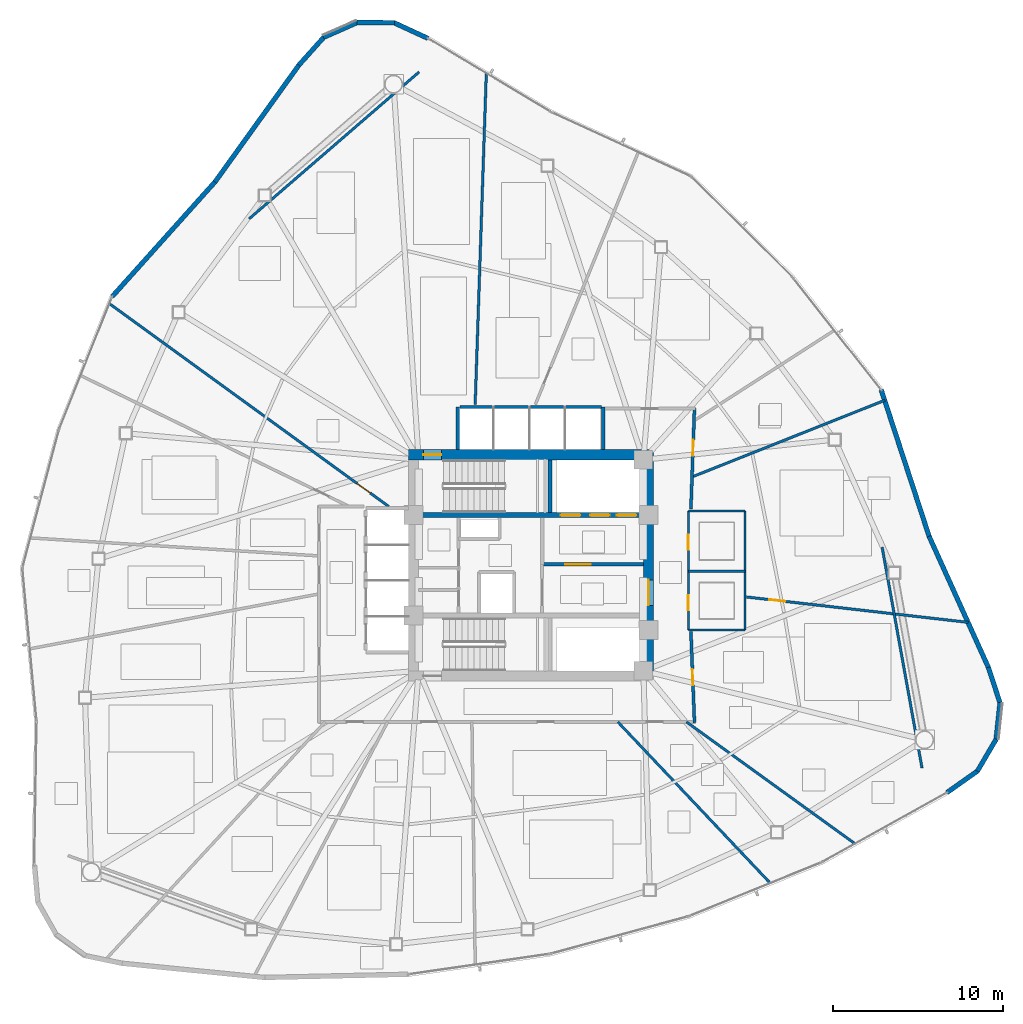
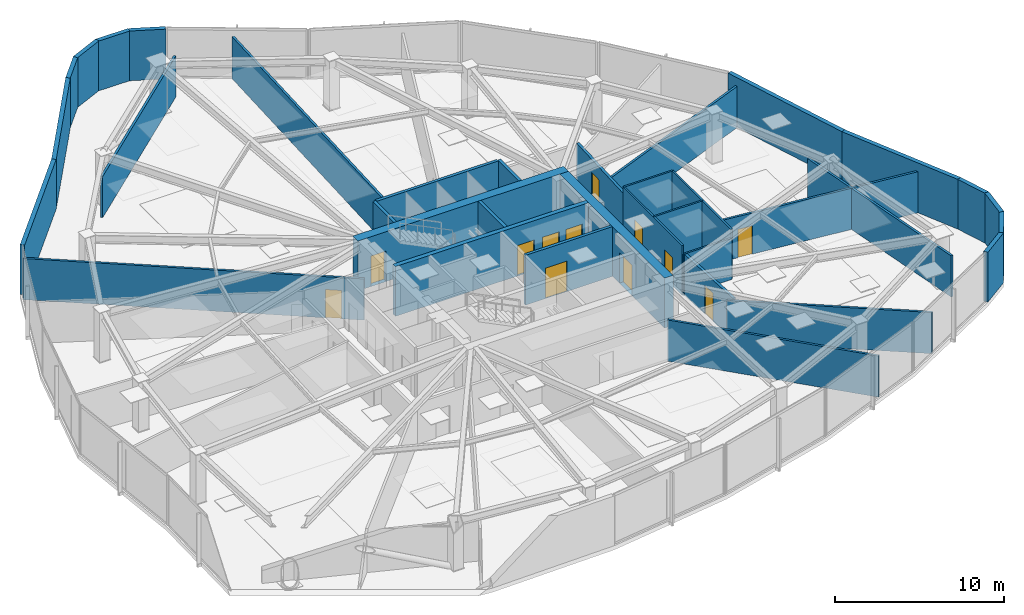
# One storey, part 12 of 17: 35 walls, 12 doors, 12 openings.
"""IFC4 building model written with IfcOpenShell, lengths in metres."""

from ifc_helpers import new_model, si_unit, direction, frame, frame_2d, origin, place, context, subcontext, project, spatial, rectangle, extrude, material, layer, layer_set, type_object, element, fill, save


model = new_model("IFC4")

# Units and contexts
model_context = context("Model", 3, precision=1e-05, world=origin(), true_north=direction((0.0, 1.0)))
body_context = subcontext(model_context, "Body", "Model", "MODEL_VIEW")
ifc_project = project(units=[si_unit("LENGTHUNIT", "METRE"), si_unit("AREAUNIT", "SQUARE_METRE"), si_unit("VOLUMEUNIT", "CUBIC_METRE"), si_unit("PLANEANGLEUNIT", "RADIAN"), si_unit("MASSUNIT", "GRAM", prefix="KILO")], contexts=[model_context])

# Site, building, storey
site_placement = place(None, origin())
site = spatial("IfcSite", under=ifc_project, at=site_placement, CompositionType="ELEMENT")
building_placement = place(site_placement, origin())
building = spatial("IfcBuilding", under=site, at=building_placement, Name="Tavelor Broadcast Tower", CompositionType="ELEMENT")
storey_placement = place(building_placement, frame((0.0, 0.0, 74.39990234375)))
storey = spatial("IfcBuildingStorey", under=building, at=storey_placement, Name="L17", CompositionType="ELEMENT", Elevation=74.39990234375)

# Wall, opening, door
ifc_material_1 = material(Name="Concrete C60/75", Category="concrete")
ifc_layer_1 = layer(ifc_material_1, 0.60009765625)
ifc_layer_set_1 = layer_set([ifc_layer_1], Name="Concrete C60/75")
wall_type_1 = type_object("IfcWallType", Name="Core Shear Wall 600 mm", PredefinedType="SHEAR", material=ifc_layer_set_1)
wall_1_placement = place(storey_placement, frame((42.800048828125, 51.5, 0.0), z_axis=(0.0, 0.0, 1.0), x_axis=(1.0, 0.0, 0.0)))
wall_1 = element("IfcWall", 1, at=wall_1_placement, inside=storey, type_object=wall_type_1, Name="L17 Central Core Shear Wall N", PredefinedType="SHEAR", context=body_context, shape_type="SweptSolid", body=[
    extrude(rectangle(XDim=14.39990234375, YDim=0.60009765625, at=frame_2d((7.199951171875, 0.0))), origin(), (0.0, 0.0, 1.0), 3.60009765625),
])
opening_1_placement = place(wall_1_placement, frame((0.8798828125, 0.0, 0.0)))
opening_1 = element("IfcOpeningElement", 2, at=opening_1_placement, cuts=wall_1, Name="Opening DR11", PredefinedType="OPENING", context=body_context, shape_type="SweptSolid", body=[
    extrude(rectangle(XDim=1.050048828125, YDim=2.199951171875, at=frame_2d((0.52490234375, 1.10009765625))), frame((0.0, 0.31005859375, 0.0), z_axis=(0.0, -1.0, 0.0), x_axis=(1.0, 0.0, 0.0)), (0.0, 0.0, 1.0), 0.6201171875),
])
ifc_material_2 = material(Name="Steel S355", Category="steel")
door_type_1 = type_object("IfcDoorType", Name="Stair Core Fire Escape Door 1050x2200", OperationType="NOTDEFINED", PredefinedType="DOOR", material=ifc_material_2)
door_1_placement = place(opening_1_placement, origin())
door_1 = element("IfcDoor", 3, at=door_1_placement, inside=storey, type_object=door_type_1, Name="L17 Stair ST1 Protected Exit Door", OperationType="SINGLE_SWING_LEFT", OverallHeight=2.199951171875, OverallWidth=1.050048828125, PredefinedType="DOOR", context=body_context, shape_type="SweptSolid", body=[
    extrude(rectangle(XDim=1.050048828125, YDim=2.199951171875, at=frame_2d((0.52490234375, 1.10009765625))), frame((0.0, 0.02490234375, 0.0), z_axis=(0.0, -1.0, 0.0), x_axis=(1.0, 0.0, 0.0)), (0.0, 0.0, 1.0), 0.050048828125),
])
fill(opening_1, door_1)

wall_2_placement = place(storey_placement, frame((56.89990234375, 38.800048828125, 0.0), z_axis=(0.0, 0.0, 1.0), x_axis=(0.0, 1.0, 0.0)))
wall_2 = element("IfcWall", 4, at=wall_2_placement, inside=storey, type_object=wall_type_1, Name="L17 Central Core Shear Wall E", PredefinedType="SHEAR", context=body_context, shape_type="SweptSolid", body=[
    extrude(rectangle(XDim=12.39990234375, YDim=0.60009765625, at=frame_2d((6.199951171875, 0.0))), origin(), (0.0, 0.0, 1.0), 3.60009765625),
])
opening_2_placement = place(wall_2_placement, frame((3.85009765625, 0.0, 0.0)))
opening_2 = element("IfcOpeningElement", 5, at=opening_2_placement, cuts=wall_2, Name="Opening DR14", PredefinedType="OPENING", context=body_context, shape_type="SweptSolid", body=[
    extrude(rectangle(XDim=1.5, YDim=2.199951171875, at=frame_2d((0.75, 1.10009765625))), frame((0.0, 0.31005859375, 0.0), z_axis=(0.0, -1.0, 0.0), x_axis=(1.0, 0.0, 0.0)), (0.0, 0.0, 1.0), 0.6201171875),
])
door_type_2 = type_object("IfcDoorType", Name="Firefighting Lobby Double Fire Door 1500x2200", OperationType="NOTDEFINED", PredefinedType="DOOR", material=ifc_material_2)
door_2_placement = place(opening_2_placement, origin())
door_2 = element("IfcDoor", 6, at=door_2_placement, inside=storey, type_object=door_type_2, Name="L17 Central Core Lobby Fire Door", OperationType="SINGLE_SWING_RIGHT", OverallHeight=2.199951171875, OverallWidth=1.5, PredefinedType="DOOR", context=body_context, shape_type="SweptSolid", body=[
    extrude(rectangle(XDim=1.5, YDim=2.199951171875, at=frame_2d((0.75, 1.10009765625))), frame((0.0, 0.02490234375, 0.0), z_axis=(0.0, -1.0, 0.0), x_axis=(1.0, 0.0, 0.0)), (0.0, 0.0, 1.0), 0.050048828125),
])
fill(opening_2, door_2)

# Wall, openings, doors
ifc_layer_2 = layer(ifc_material_1, 0.300048828125)
ifc_layer_set_2 = layer_set([ifc_layer_2], Name="Concrete C60/75")
wall_type_2 = type_object("IfcWallType", Name="Core Spine Shear Wall 300 mm C60", PredefinedType="SHEAR", material=ifc_layer_set_2)
wall_3_placement = place(storey_placement, frame((43.39990234375, 47.949951171875, 0.0), z_axis=(0.0, 0.0, 1.0), x_axis=(1.0, 0.0, 0.0)))
wall_3 = element("IfcWall", 7, at=wall_3_placement, inside=storey, type_object=wall_type_2, Name="L17 Central Core Shear Wall SP1", PredefinedType="SHEAR", context=body_context, shape_type="SweptSolid", body=[
    extrude(rectangle(XDim=13.2001953125, YDim=0.300048828125, at=frame_2d((6.60009765625, 0.0))), origin(), (0.0, 0.0, 1.0), 3.60009765625),
])
opening_3_placement = place(wall_3_placement, frame((8.344970703125, 0.0, 0.0)))
opening_3 = element("IfcOpeningElement", 8, at=opening_3_placement, cuts=wall_3, Name="Opening LD02", PredefinedType="OPENING", context=body_context, shape_type="SweptSolid", body=[
    extrude(rectangle(XDim=1.14990234375, YDim=2.199951171875, at=frame_2d((0.574951171875, 1.10009765625))), frame((0.0, 0.16015625, 0.0), z_axis=(0.0, -1.0, 0.0), x_axis=(1.0, 0.0, 0.0)), (0.0, 0.0, 1.0), 0.320068359375),
])
opening_4_placement = place(wall_3_placement, frame((10.06494140625, 0.0, 0.0)))
opening_4 = element("IfcOpeningElement", 9, at=opening_4_placement, cuts=wall_3, Name="Opening LD02", PredefinedType="OPENING", context=body_context, shape_type="SweptSolid", body=[
    extrude(rectangle(XDim=1.14990234375, YDim=2.199951171875, at=frame_2d((0.574951171875, 1.10009765625))), frame((0.0, 0.16015625, 0.0), z_axis=(0.0, -1.0, 0.0), x_axis=(1.0, 0.0, 0.0)), (0.0, 0.0, 1.0), 0.320068359375),
])
opening_5_placement = place(wall_3_placement, frame((11.64501953125, 0.0, 0.0)))
opening_5 = element("IfcOpeningElement", 10, at=opening_5_placement, cuts=wall_3, Name="Opening LD03", PredefinedType="OPENING", context=body_context, shape_type="SweptSolid", body=[
    extrude(rectangle(XDim=1.14990234375, YDim=2.199951171875, at=frame_2d((0.574951171875, 1.10009765625))), frame((0.0, 0.16015625, 0.0), z_axis=(0.0, -1.0, 0.0), x_axis=(1.0, 0.0, 0.0)), (0.0, 0.0, 1.0), 0.320068359375),
])
ifc_material_3 = material(Name="Reinforced Brushed Stainless Steel", Category="concrete")
door_type_3 = type_object("IfcDoorType", Name="Broadcast Goods Lift Sliding Landing Door 1250x2200", OperationType="NOTDEFINED", PredefinedType="DOOR", material=ifc_material_3)
door_3_placement = place(opening_5_placement, origin())
door_3 = element("IfcDoor", 11, at=door_3_placement, inside=storey, type_object=door_type_3, Name="L17 Lift SVL1 Sliding Landing Door", OperationType="SLIDING_TO_LEFT", OverallHeight=2.199951171875, OverallWidth=1.14990234375, PredefinedType="DOOR", context=body_context, shape_type="SweptSolid", body=[
    extrude(rectangle(XDim=1.14990234375, YDim=2.199951171875, at=frame_2d((0.574951171875, 1.10009765625))), frame((0.0, 0.02490234375, 0.0), z_axis=(0.0, -1.0, 0.0), x_axis=(1.0, 0.0, 0.0)), (0.0, 0.0, 1.0), 0.050048828125),
])
fill(opening_5, door_3)
ifc_material_4 = material(Name="Fire-Rated Stainless Steel", Category="steel")
door_type_4 = type_object("IfcDoorType", Name="Firefighting Lift Sliding Landing Door 1200x2200", OperationType="NOTDEFINED", PredefinedType="DOOR", material=ifc_material_4)
door_4_placement = place(opening_3_placement, origin())
door_4 = element("IfcDoor", 12, at=door_4_placement, inside=storey, type_object=door_type_4, Name="L17 Lift FFL1 Sliding Landing Door", OperationType="SLIDING_TO_LEFT", OverallHeight=2.199951171875, OverallWidth=1.14990234375, PredefinedType="DOOR", context=body_context, shape_type="SweptSolid", body=[
    extrude(rectangle(XDim=1.14990234375, YDim=2.199951171875, at=frame_2d((0.574951171875, 1.10009765625))), frame((0.0, 0.02490234375, 0.0), z_axis=(0.0, -1.0, 0.0), x_axis=(1.0, 0.0, 0.0)), (0.0, 0.0, 1.0), 0.050048828125),
])
fill(opening_3, door_4)
door_5_placement = place(opening_4_placement, origin())
door_5 = element("IfcDoor", 13, at=door_5_placement, inside=storey, type_object=door_type_4, Name="L17 Lift FFL2 Sliding Landing Door", OperationType="SLIDING_TO_LEFT", OverallHeight=2.199951171875, OverallWidth=1.14990234375, PredefinedType="DOOR", context=body_context, shape_type="SweptSolid", body=[
    extrude(rectangle(XDim=1.14990234375, YDim=2.199951171875, at=frame_2d((0.574951171875, 1.10009765625))), frame((0.0, 0.02490234375, 0.0), z_axis=(0.0, -1.0, 0.0), x_axis=(1.0, 0.0, 0.0)), (0.0, 0.0, 1.0), 0.050048828125),
])
fill(opening_4, door_5)

# Wall, opening, door
ifc_material_5 = material(Name="Calcium Silicate Fire Board 180 mm", Category="gypsum")
ifc_layer_3 = layer(ifc_material_5, 0.179931640625)
ifc_layer_set_3 = layer_set([ifc_layer_3], Name="Calcium Silicate Fire Board 180 mm")
wall_type_3 = type_object("IfcWallType", Name="Fire-Rated Corridor Partition Wall 180 mm", PredefinedType="PARTITIONING", material=ifc_layer_set_3)
wall_4_placement = place(storey_placement, frame((59.601806640625, 54.25, 0.0), z_axis=(0.0, 0.0, 1.0), x_axis=(-0.035265891834, -0.999377964973, 0.0)))
wall_4 = element("IfcWall", 14, at=wall_4_placement, inside=storey, type_object=wall_type_3, Name="L17 Corridor Compartment Wall 02", PredefinedType="PARTITIONING", context=body_context, shape_type="SweptSolid", body=[
    extrude(rectangle(XDim=5.95361328125, YDim=0.179931640625, at=frame_2d((2.976806640625, 0.0))), origin(), (0.0, 0.0, 1.0), 2.97509765625),
])
opening_6_placement = place(wall_4_placement, frame((1.876220703125, 0.0, 0.0)))
opening_6 = element("IfcOpeningElement", 15, at=opening_6_placement, cuts=wall_4, Name="Opening DR18", PredefinedType="OPENING", context=body_context, shape_type="SweptSolid", body=[
    extrude(rectangle(XDim=0.949951171875, YDim=2.050048828125, at=frame_2d((0.47509765625, 1.02490234375))), frame((0.0, 0.10009765625, 0.0), z_axis=(0.0, -1.0, 0.0), x_axis=(1.0, 0.0, 0.0)), (0.0, 0.0, 1.0), 0.199951171875),
])
ifc_material_6 = material(Name="Timber Solid Core Hardwood", Category="wood")
door_type_5 = type_object("IfcDoorType", Name="Corridor Rated Compartment Door 950x2050", OperationType="NOTDEFINED", PredefinedType="DOOR", material=ifc_material_6)
door_6_placement = place(opening_6_placement, origin())
door_6 = element("IfcDoor", 16, at=door_6_placement, inside=storey, type_object=door_type_5, Name="L17 Editorial Coffee Pantry Door R11", OperationType="SINGLE_SWING_LEFT", OverallHeight=2.050048828125, OverallWidth=0.949951171875, PredefinedType="DOOR", context=body_context, shape_type="SweptSolid", body=[
    extrude(rectangle(XDim=0.949951171875, YDim=2.050048828125, at=frame_2d((0.47509765625, 1.02490234375))), frame((0.0, 0.02490234375, 0.0), z_axis=(0.0, -1.0, 0.0), x_axis=(1.0, 0.0, 0.0)), (0.0, 0.0, 1.0), 0.050048828125),
])
fill(opening_6, door_6)

wall_5_placement = place(storey_placement, frame((59.39208984375, 41.10009765625, 0.0), z_axis=(0.0, 0.0, 1.0), x_axis=(0.03921413315, -0.999230830069, 0.0)))
wall_5 = element("IfcWall", 17, at=wall_5_placement, inside=storey, type_object=wall_type_3, Name="L17 Corridor Compartment Wall 03", PredefinedType="PARTITIONING", context=body_context, shape_type="SweptSolid", body=[
    extrude(rectangle(XDim=5.354248046875, YDim=0.179931640625, at=frame_2d((2.67724609375, 0.0))), origin(), (0.0, 0.0, 1.0), 2.97509765625),
])
opening_7_placement = place(wall_5_placement, frame((2.201904296875, 0.0, 0.0)))
opening_7 = element("IfcOpeningElement", 18, at=opening_7_placement, cuts=wall_5, Name="Opening DR18", PredefinedType="OPENING", context=body_context, shape_type="SweptSolid", body=[
    extrude(rectangle(XDim=0.949951171875, YDim=2.050048828125, at=frame_2d((0.47509765625, 1.02490234375))), frame((0.0, 0.10009765625, 0.0), z_axis=(0.0, -1.0, 0.0), x_axis=(1.0, 0.0, 0.0)), (0.0, 0.0, 1.0), 0.199951171875),
])
door_7_placement = place(opening_7_placement, origin())
door_7 = element("IfcDoor", 19, at=door_7_placement, inside=storey, type_object=door_type_5, Name="L17 Broadcast Production Studio Door R13", OperationType="SINGLE_SWING_RIGHT", OverallHeight=2.050048828125, OverallWidth=0.949951171875, PredefinedType="DOOR", context=body_context, shape_type="SweptSolid", body=[
    extrude(rectangle(XDim=0.949951171875, YDim=2.050048828125, at=frame_2d((0.47509765625, 1.02490234375))), frame((0.0, 0.02490234375, 0.0), z_axis=(0.0, -1.0, 0.0), x_axis=(1.0, 0.0, 0.0)), (0.0, 0.0, 1.0), 0.050048828125),
])
fill(opening_7, door_7)

# Walls
ifc_material_7 = material(Name="Precast Concrete C40/50", Category="concrete")
ifc_layer_4 = layer(ifc_material_7, 0.280029296875)
ifc_layer_set_4 = layer_set([ifc_layer_4], Name="Precast Concrete C40/50")
wall_type_4 = type_object("IfcWallType", Name="Insulated Precast Terracotta Facade Wall 280 mm", PredefinedType="STANDARD", material=ifc_layer_set_4)
wall_6_placement = place(storey_placement, frame((43.93994140625, 75.96044921875, 0.0), z_axis=(0.0, 0.0, 1.0), x_axis=(-0.908173521499, 0.418593902068, 0.0)))
element("IfcWall", 20, at=wall_6_placement, inside=storey, type_object=wall_type_4, Name="L17 Rounded Corner Structural Cladding Pier 01", PredefinedType="STANDARD", context=body_context, shape_type="SweptSolid", body=[
    extrude(rectangle(XDim=2.201171875, YDim=0.280029296875, at=frame_2d((1.1005859375, 0.0))), origin(), (0.0, 0.0, 1.0), 3.60009765625),
])
for number, where, z_axis, x_axis, name in (
    (21, (41.9697265625, 76.87548828125, 0.0), (0.0, 0.0, 1.0), (-0.999969538237, 0.007805293006, 0.0), "L17 Rounded Corner Structural Cladding Pier 02"),
    (22, (39.80908203125, 76.898681640625, 0.0), (0.0, 0.0, 1.0), (-0.914609892557, -0.404337414095, 0.0), "L17 Rounded Corner Structural Cladding Pier 03"),
):
    element("IfcWall", number, at=place(storey_placement, frame(where, z_axis=z_axis, x_axis=x_axis)), inside=storey, type_object=wall_type_4, Name=name, PredefinedType="STANDARD", context=body_context, shape_type="SweptSolid", body=[
        extrude(rectangle(XDim=2.189453125, YDim=0.280029296875, at=frame_2d((1.0947265625, 0.0))), origin(), (0.0, 0.0, 1.0), 3.60009765625),
    ])
wall_7_placement = place(storey_placement, frame((37.830322265625, 76.030517578125, 0.0), z_axis=(0.0, 0.0, 1.0), x_axis=(-0.667188363883, -0.744889043482, 0.0)))
element("IfcWall", 23, at=wall_7_placement, inside=storey, type_object=wall_type_4, Name="L17 Rounded Corner Structural Cladding Pier 04", PredefinedType="STANDARD", context=body_context, shape_type="SweptSolid", body=[
    extrude(rectangle(XDim=2.2119140625, YDim=0.280029296875, at=frame_2d((1.10595703125, 0.0))), origin(), (0.0, 0.0, 1.0), 3.60009765625),
])
wall_8_placement = place(storey_placement, frame((36.373291015625, 74.40625, 0.0), z_axis=(0.0, 0.0, 1.0), x_axis=(-0.583205808697, -0.812324433156, 0.0)))
element("IfcWall", 24, at=wall_8_placement, inside=storey, type_object=wall_type_4, Name="L17 Rounded Corner Structural Cladding Pier 05", PredefinedType="STANDARD", context=body_context, shape_type="SweptSolid", body=[
    extrude(rectangle(XDim=8.478759765625, YDim=0.280029296875, at=frame_2d((4.2392578125, 0.0))), origin(), (0.0, 0.0, 1.0), 3.60009765625),
])
wall_9_placement = place(storey_placement, frame((31.447265625, 67.5419921875, 0.0), z_axis=(0.0, 0.0, 1.0), x_axis=(-0.667745700293, -0.744389467779, 0.0)))
element("IfcWall", 25, at=wall_9_placement, inside=storey, type_object=wall_type_4, Name="L17 Rounded Corner Structural Cladding Pier 06", PredefinedType="STANDARD", context=body_context, shape_type="SweptSolid", body=[
    extrude(rectangle(XDim=9.06884765625, YDim=0.280029296875, at=frame_2d((4.534423828125, 0.0))), origin(), (0.0, 0.0, 1.0), 3.60009765625),
])
wall_10_placement = place(storey_placement, frame((74.442626953125, 31.650390625, 0.0), z_axis=(0.0, 0.0, 1.0), x_axis=(0.81663879443, 0.577149096362, 0.0)))
element("IfcWall", 26, at=wall_10_placement, inside=storey, type_object=wall_type_4, Name="L17 Rounded Corner Structural Cladding Pier 21", PredefinedType="STANDARD", context=body_context, shape_type="SweptSolid", body=[
    extrude(rectangle(XDim=2.200927734375, YDim=0.280029296875, at=frame_2d((1.1005859375, 0.0))), origin(), (0.0, 0.0, 1.0), 3.60009765625),
])
for number, where, z_axis, x_axis, name in (
    (27, (76.22021484375, 32.89892578125, 0.0), (0.0, 0.0, 1.0), (0.506717947933, 0.86211189601, 0.0), "L17 Rounded Corner Structural Cladding Pier 22"),
    (28, (77.320556640625, 34.758544921875, 0.0), (0.0, 0.0, 1.0), (0.107163082067, 0.994241456509, 0.0), "L17 Rounded Corner Structural Cladding Pier 23"),
):
    element("IfcWall", number, at=place(storey_placement, frame(where, z_axis=z_axis, x_axis=x_axis)), inside=storey, type_object=wall_type_4, Name=name, PredefinedType="STANDARD", context=body_context, shape_type="SweptSolid", body=[
        extrude(rectangle(XDim=2.189453125, YDim=0.280029296875, at=frame_2d((1.0947265625, 0.0))), origin(), (0.0, 0.0, 1.0), 3.60009765625),
    ])
wall_11_placement = place(storey_placement, frame((77.55810546875, 36.90625, 0.0), z_axis=(0.0, 0.0, 1.0), x_axis=(-0.311555570037, 0.950227934118, 0.0)))
element("IfcWall", 29, at=wall_11_placement, inside=storey, type_object=wall_type_4, Name="L17 Rounded Corner Structural Cladding Pier 24", PredefinedType="STANDARD", context=body_context, shape_type="SweptSolid", body=[
    extrude(rectangle(XDim=2.212158203125, YDim=0.280029296875, at=frame_2d((1.10595703125, 0.0))), origin(), (0.0, 0.0, 1.0), 3.60009765625),
])
wall_12_placement = place(storey_placement, frame((76.8798828125, 38.980224609375, 0.0), z_axis=(0.0, 0.0, 1.0), x_axis=(-0.411879874827, 0.91123815148, 0.0)))
element("IfcWall", 30, at=wall_12_placement, inside=storey, type_object=wall_type_4, Name="L17 Rounded Corner Structural Cladding Pier 25", PredefinedType="STANDARD", context=body_context, shape_type="SweptSolid", body=[
    extrude(rectangle(XDim=8.478759765625, YDim=0.280029296875, at=frame_2d((4.2392578125, 0.0))), origin(), (0.0, 0.0, 1.0), 3.60009765625),
])
wall_13_placement = place(storey_placement, frame((73.3984375, 46.678466796875, 0.0), z_axis=(0.0, 0.0, 1.0), x_axis=(-0.310803401324, 0.950474221494, 0.0)))
element("IfcWall", 31, at=wall_13_placement, inside=storey, type_object=wall_type_4, Name="L17 Rounded Corner Structural Cladding Pier 26", PredefinedType="STANDARD", context=body_context, shape_type="SweptSolid", body=[
    extrude(rectangle(XDim=9.06884765625, YDim=0.280029296875, at=frame_2d((4.534423828125, 0.0))), origin(), (0.0, 0.0, 1.0), 3.60009765625),
])
ifc_material_8 = material(Name="Gypsum Acoustic Plasterboard 150 mm", Category="gypsum")
ifc_layer_5 = layer(ifc_material_8, 0.14990234375)
ifc_layer_set_5 = layer_set([ifc_layer_5], Name="Gypsum Acoustic Plasterboard 150 mm")
wall_type_5 = type_object("IfcWallType", Name="Interior Acoustic Partition Wall 150 mm", PredefinedType="PARTITIONING", material=ifc_layer_set_5)
wall_14_placement = place(storey_placement, frame((43.42138671875, 73.9794921875, 0.0), z_axis=(0.0, 0.0, 1.0), x_axis=(-0.756659135409, -0.653809569218, 0.0)))
element("IfcWall", 32, at=wall_14_placement, inside=storey, type_object=wall_type_5, Name="L17 Corner Tube Brace Furring Wall 1", PredefinedType="PARTITIONING", context=body_context, shape_type="SweptSolid", body=[
    extrude(rectangle(XDim=13.200439453125, YDim=0.14990234375, at=frame_2d((6.60009765625, 0.0))), origin(), (0.0, 0.0, 1.0), 2.97509765625),
])
wall_15_placement = place(storey_placement, frame((72.96923828125, 33.09130859375, 0.0), z_axis=(0.0, 0.0, 1.0), x_axis=(-0.177742578179, 0.984077017261, 0.0)))
element("IfcWall", 33, at=wall_15_placement, inside=storey, type_object=wall_type_5, Name="L17 Corner Tube Brace Furring Wall 3", PredefinedType="PARTITIONING", context=body_context, shape_type="SweptSolid", body=[
    extrude(rectangle(XDim=13.179443359375, YDim=0.14990234375, at=frame_2d((6.58984375, 0.0))), origin(), (0.0, 0.0, 1.0), 2.97509765625),
])
wall_16_placement = place(storey_placement, frame((55.09814453125, 35.800048828125, 0.0), z_axis=(0.0, 0.0, 1.0), x_axis=(0.687014615678, -0.72664359754, 0.0)))
element("IfcWall", 34, at=wall_16_placement, inside=storey, type_object=wall_type_5, Name="L17 Radial Compartment Wall 07", PredefinedType="PARTITIONING", context=body_context, shape_type="SweptSolid", body=[
    extrude(rectangle(XDim=13.04833984375, YDim=0.14990234375, at=frame_2d((6.524169921875, 0.0))), origin(), (0.0, 0.0, 1.0), 2.97509765625),
])
wall_17_placement = place(storey_placement, frame((59.130126953125, 35.800048828125, 0.0), z_axis=(0.0, 0.0, 1.0), x_axis=(0.81049178712, -0.585750000436, 0.0)))
element("IfcWall", 35, at=wall_17_placement, inside=storey, type_object=wall_type_5, Name="L17 Radial Compartment Wall 08", PredefinedType="PARTITIONING", context=body_context, shape_type="SweptSolid", body=[
    extrude(rectangle(XDim=12.229736328125, YDim=0.14990234375, at=frame_2d((6.11474609375, 0.0))), origin(), (0.0, 0.0, 1.0), 2.97509765625),
])

# Wall, opening, door
wall_18_placement = place(storey_placement, frame((62.64990234375, 43.139404296875, 0.0), z_axis=(0.0, 0.0, 1.0), x_axis=(0.993507819436, -0.113763846275, 0.0)))
wall_18 = element("IfcWall", 36, at=wall_18_placement, inside=storey, type_object=wall_type_5, Name="L17 Radial Compartment Wall 09", PredefinedType="PARTITIONING", context=body_context, shape_type="SweptSolid", body=[
    extrude(rectangle(XDim=13.120849609375, YDim=0.14990234375, at=frame_2d((6.560546875, 0.0))), origin(), (0.0, 0.0, 1.0), 2.97509765625),
])
opening_8_placement = place(wall_18_placement, frame((1.35009765625, 0.0, 0.0)))
opening_8 = element("IfcOpeningElement", 37, at=opening_8_placement, cuts=wall_18, Name="Opening DR18", PredefinedType="OPENING", context=body_context, shape_type="SweptSolid", body=[
    extrude(rectangle(XDim=0.949951171875, YDim=2.050048828125, at=frame_2d((0.47509765625, 1.02490234375))), frame((0.0, 0.0849609375, 0.0), z_axis=(0.0, -1.0, 0.0), x_axis=(1.0, 0.0, 0.0)), (0.0, 0.0, 1.0), 0.169921875),
])
door_8_placement = place(opening_8_placement, origin())
door_8 = element("IfcDoor", 38, at=door_8_placement, inside=storey, type_object=door_type_5, Name="L17 Suite Connecting Door 12", OperationType="SINGLE_SWING_LEFT", OverallHeight=2.050048828125, OverallWidth=0.949951171875, PredefinedType="DOOR", context=body_context, shape_type="SweptSolid", body=[
    extrude(rectangle(XDim=0.949951171875, YDim=2.050048828125, at=frame_2d((0.47509765625, 1.02490234375))), frame((0.0, 0.02490234375, 0.0), z_axis=(0.0, -1.0, 0.0), x_axis=(1.0, 0.0, 0.0)), (0.0, 0.0, 1.0), 0.050048828125),
])
fill(opening_8, door_8)

# Walls
wall_19_placement = place(storey_placement, frame((59.45849609375, 50.191162109375, 0.0), z_axis=(0.0, 0.0, 1.0), x_axis=(0.929265937883, 0.369411446344, 0.0)))
element("IfcWall", 39, at=wall_19_placement, inside=storey, type_object=wall_type_5, Name="L17 Radial Compartment Wall 10", PredefinedType="PARTITIONING", context=body_context, shape_type="SweptSolid", body=[
    extrude(rectangle(XDim=12.19140625, YDim=0.14990234375, at=frame_2d((6.095703125, 0.0))), origin(), (0.0, 0.0, 1.0), 2.97509765625),
])
wall_20_placement = place(storey_placement, frame((46.7177734375, 54.449951171875, 0.0), z_axis=(0.0, 0.0, 1.0), x_axis=(0.033606572216, 0.999435139618, 0.0)))
element("IfcWall", 40, at=wall_20_placement, inside=storey, type_object=wall_type_5, Name="L17 Radial Compartment Wall 13", PredefinedType="PARTITIONING", context=body_context, shape_type="SweptSolid", body=[
    extrude(rectangle(XDim=19.4765625, YDim=0.14990234375, at=frame_2d((9.73828125, 0.0))), origin(), (0.0, 0.0, 1.0), 3.025146484375),
])

# Wall, opening, door
wall_21_placement = place(storey_placement, frame((41.648681640625, 48.449951171875, 0.0), z_axis=(0.0, 0.0, 1.0), x_axis=(-0.809168970715, 0.587576017918, 0.0)))
wall_21 = element("IfcWall", 41, at=wall_21_placement, inside=storey, type_object=wall_type_5, Name="L17 Radial Compartment Wall 14", PredefinedType="PARTITIONING", context=body_context, shape_type="SweptSolid", body=[
    extrude(rectangle(XDim=20.305419921875, YDim=0.14990234375, at=frame_2d((10.15283203125, 0.0))), origin(), (0.0, 0.0, 1.0), 2.97509765625),
])
opening_9_placement = place(wall_21_placement, frame((1.35009765625, 0.0, 0.0)))
opening_9 = element("IfcOpeningElement", 42, at=opening_9_placement, cuts=wall_21, Name="Opening DR18", PredefinedType="OPENING", context=body_context, shape_type="SweptSolid", body=[
    extrude(rectangle(XDim=0.949951171875, YDim=2.050048828125, at=frame_2d((0.47509765625, 1.02490234375))), frame((0.0, 0.0849609375, 0.0), z_axis=(0.0, -1.0, 0.0), x_axis=(1.0, 0.0, 0.0)), (0.0, 0.0, 1.0), 0.169921875),
])
door_9_placement = place(opening_9_placement, origin())
door_9 = element("IfcDoor", 43, at=door_9_placement, inside=storey, type_object=door_type_5, Name="L17 Suite Connecting Door 8", OperationType="SINGLE_SWING_LEFT", OverallHeight=2.050048828125, OverallWidth=0.949951171875, PredefinedType="DOOR", context=body_context, shape_type="SweptSolid", body=[
    extrude(rectangle(XDim=0.949951171875, YDim=2.050048828125, at=frame_2d((0.47509765625, 1.02490234375))), frame((0.0, 0.02490234375, 0.0), z_axis=(0.0, -1.0, 0.0), x_axis=(1.0, 0.0, 0.0)), (0.0, 0.0, 1.0), 0.050048828125),
])
fill(opening_9, door_9)

# Walls
ifc_material_9 = material(Name="Concrete Blockwork 200 mm", Category="masonry")
ifc_layer_6 = layer(ifc_material_9, 0.199951171875)
ifc_layer_set_6 = layer_set([ifc_layer_6], Name="Concrete Blockwork 200 mm")
wall_type_6 = type_object("IfcWallType", Name="Lift Hoistway Rated Front Wall 200 mm", PredefinedType="PARTITIONING", material=ifc_layer_set_6)
wall_22_placement = place(storey_placement, frame((45.820068359375, 54.300048828125, 0.0), z_axis=(0.0, 0.0, 1.0), x_axis=(1.0, 0.0, 0.0)))
element("IfcWall", 44, at=wall_22_placement, inside=storey, type_object=wall_type_6, Name="L17 High-Rise Lift Hoistway Front Wall", PredefinedType="PARTITIONING", context=body_context, shape_type="SweptSolid", body=[
    extrude(rectangle(XDim=8.309814453125, YDim=0.199951171875, at=frame_2d((4.15478515625, 0.0))), origin(), (0.0, 0.0, 1.0), 3.60009765625),
])
ifc_layer_7 = layer(ifc_material_9, 0.199951171875)
ifc_layer_set_7 = layer_set([ifc_layer_7], Name="Concrete Blockwork 200 mm")
wall_type_7 = type_object("IfcWallType", Name="Lift and Riser Shaft Enclosure Wall 200 mm", PredefinedType="PARTITIONING", material=ifc_layer_set_7)
for number, where, z_axis, x_axis, name in (
    (45, (45.699951171875, 51.800048828125, 0.0), (0.0, 0.0, 1.0), (0.0, 1.0, 0.0), "L17 High-Rise Lift Shaft West Wall"),
    (46, (54.25, 51.800048828125, 0.0), (0.0, 0.0, 1.0), (0.0, 1.0, 0.0), "L17 High-Rise Lift Shaft East Wall"),
):
    element("IfcWall", number, at=place(storey_placement, frame(where, z_axis=z_axis, x_axis=x_axis)), inside=storey, type_object=wall_type_7, Name=name, PredefinedType="PARTITIONING", context=body_context, shape_type="SweptSolid", body=[
        extrude(rectangle(XDim=2.5, YDim=0.199951171875, at=frame_2d((1.25, 0.0))), origin(), (0.0, 0.0, 1.0), 3.60009765625),
    ])

# Wall, opening, door
wall_23_placement = place(storey_placement, frame((50.64990234375, 45.050048828125, 0.0), z_axis=(0.0, 0.0, 1.0), x_axis=(1.0, 0.0, 0.0)))
wall_23 = element("IfcWall", 47, at=wall_23_placement, inside=storey, type_object=wall_type_7, Name="L17 Firefighting Lobby South Wall", PredefinedType="PARTITIONING", context=body_context, shape_type="SweptSolid", body=[
    extrude(rectangle(XDim=5.9501953125, YDim=0.199951171875, at=frame_2d((2.97509765625, 0.0))), origin(), (0.0, 0.0, 1.0), 3.60009765625),
])
opening_10_placement = place(wall_23_placement, frame((1.35009765625, 0.0, 0.0)))
opening_10 = element("IfcOpeningElement", 48, at=opening_10_placement, cuts=wall_23, Name="Opening DR14", PredefinedType="OPENING", context=body_context, shape_type="SweptSolid", body=[
    extrude(rectangle(XDim=1.5, YDim=2.199951171875, at=frame_2d((0.75, 1.10009765625))), frame((0.0, 0.10986328125, 0.0), z_axis=(0.0, -1.0, 0.0), x_axis=(1.0, 0.0, 0.0)), (0.0, 0.0, 1.0), 0.219970703125),
])
door_10_placement = place(opening_10_placement, origin())
door_10 = element("IfcDoor", 49, at=door_10_placement, inside=storey, type_object=door_type_2, Name="L17 Firefighting Lobby Compartment Door", OperationType="SINGLE_SWING_LEFT", OverallHeight=2.199951171875, OverallWidth=1.5, PredefinedType="DOOR", context=body_context, shape_type="SweptSolid", body=[
    extrude(rectangle(XDim=1.5, YDim=2.199951171875, at=frame_2d((0.75, 1.10009765625))), frame((0.0, 0.02490234375, 0.0), z_axis=(0.0, -1.0, 0.0), x_axis=(1.0, 0.0, 0.0)), (0.0, 0.0, 1.0), 0.050048828125),
])
fill(opening_10, door_10)

# Wall, openings, doors
ifc_material_10 = material(Name="Moisture-Resistant Plasterboard 120 mm", Category="gypsum")
ifc_layer_8 = layer(ifc_material_10, 0.1201171875)
ifc_layer_set_8 = layer_set([ifc_layer_8], Name="Moisture-Resistant Plasterboard 120 mm")
wall_type_8 = type_object("IfcWallType", Name="Moisture-Resistant Wet-Room Partition 120 mm", PredefinedType="PARTITIONING", material=ifc_layer_set_8)
wall_24_placement = place(storey_placement, frame((59.239990234375, 41.199951171875, 0.0), z_axis=(0.0, 0.0, 1.0), x_axis=(0.0, 1.0, 0.0)))
wall_24 = element("IfcWall", 50, at=wall_24_placement, inside=storey, type_object=wall_type_8, Name="L17 Floor Washrooms West Wall", PredefinedType="PARTITIONING", context=body_context, shape_type="SweptSolid", body=[
    extrude(rectangle(XDim=7.0, YDim=0.1201171875, at=frame_2d((3.5, 0.0))), origin(), (0.0, 0.0, 1.0), 3.60009765625),
])
opening_11_placement = place(wall_24_placement, frame((1.14990234375, 0.0, 0.0)))
opening_11 = element("IfcOpeningElement", 51, at=opening_11_placement, cuts=wall_24, Name="Opening DR32", PredefinedType="OPENING", context=body_context, shape_type="SweptSolid", body=[
    extrude(rectangle(XDim=0.89990234375, YDim=2.050048828125, at=frame_2d((0.449951171875, 1.02490234375))), frame((0.0, 0.070068359375, 0.0), z_axis=(0.0, -1.0, 0.0), x_axis=(1.0, 0.0, 0.0)), (0.0, 0.0, 1.0), 0.14013671875),
])
opening_12_placement = place(wall_24_placement, frame((4.699951171875, 0.0, 0.0)))
opening_12 = element("IfcOpeningElement", 52, at=opening_12_placement, cuts=wall_24, Name="Opening DR32", PredefinedType="OPENING", context=body_context, shape_type="SweptSolid", body=[
    extrude(rectangle(XDim=0.89990234375, YDim=2.050048828125, at=frame_2d((0.449951171875, 1.02490234375))), frame((0.0, 0.070068359375, 0.0), z_axis=(0.0, -1.0, 0.0), x_axis=(1.0, 0.0, 0.0)), (0.0, 0.0, 1.0), 0.14013671875),
])
door_type_6 = type_object("IfcDoorType", Name="Accessible Washroom Door 900x2050", OperationType="NOTDEFINED", PredefinedType="DOOR", material=ifc_material_6)
door_11_placement = place(opening_11_placement, origin())
door_11 = element("IfcDoor", 53, at=door_11_placement, inside=storey, type_object=door_type_6, Name="L17 Accessible WC Door", OperationType="SINGLE_SWING_LEFT", OverallHeight=2.050048828125, OverallWidth=0.89990234375, PredefinedType="DOOR", context=body_context, shape_type="SweptSolid", body=[
    extrude(rectangle(XDim=0.89990234375, YDim=2.050048828125, at=frame_2d((0.449951171875, 1.02490234375))), frame((0.0, 0.02490234375, 0.0), z_axis=(0.0, -1.0, 0.0), x_axis=(1.0, 0.0, 0.0)), (0.0, 0.0, 1.0), 0.050048828125),
])
fill(opening_11, door_11)
door_12_placement = place(opening_12_placement, origin())
door_12 = element("IfcDoor", 54, at=door_12_placement, inside=storey, type_object=door_type_6, Name="L17 Staff Washroom WC Door", OperationType="SINGLE_SWING_RIGHT", OverallHeight=2.050048828125, OverallWidth=0.89990234375, PredefinedType="DOOR", context=body_context, shape_type="SweptSolid", body=[
    extrude(rectangle(XDim=0.89990234375, YDim=2.050048828125, at=frame_2d((0.449951171875, 1.02490234375))), frame((0.0, 0.02490234375, 0.0), z_axis=(0.0, -1.0, 0.0), x_axis=(1.0, 0.0, 0.0)), (0.0, 0.0, 1.0), 0.050048828125),
])
fill(opening_12, door_12)

# Walls
wall_25_placement = place(storey_placement, frame((59.239990234375, 41.199951171875, 0.0), z_axis=(0.0, 0.0, 1.0), x_axis=(1.0, 0.0, 0.0)))
element("IfcWall", 55, at=wall_25_placement, inside=storey, type_object=wall_type_8, Name="L17 Floor Washrooms South Wall", PredefinedType="PARTITIONING", context=body_context, shape_type="SweptSolid", body=[
    extrude(rectangle(XDim=3.340087890625, YDim=0.1201171875, at=frame_2d((1.669921875, 0.0))), origin(), (0.0, 0.0, 1.0), 2.97509765625),
])
for number, where, z_axis, x_axis, name in (
    (56, (59.239990234375, 44.64990234375, 0.0), (0.0, 0.0, 1.0), (1.0, 0.0, 0.0), "L17 Floor Washrooms Divider Wall"),
    (57, (59.239990234375, 48.199951171875, 0.0), (0.0, 0.0, 1.0), (1.0, 0.0, 0.0), "L17 Floor Washrooms North Wall"),
):
    element("IfcWall", number, at=place(storey_placement, frame(where, z_axis=z_axis, x_axis=x_axis)), inside=storey, type_object=wall_type_8, Name=name, PredefinedType="PARTITIONING", context=body_context, shape_type="SweptSolid", body=[
        extrude(rectangle(XDim=3.340087890625, YDim=0.1201171875, at=frame_2d((1.669921875, 0.0))), origin(), (0.0, 0.0, 1.0), 3.60009765625),
    ])
wall_26_placement = place(storey_placement, frame((62.580078125, 41.199951171875, 0.0), z_axis=(0.0, 0.0, 1.0), x_axis=(0.0, 1.0, 0.0)))
element("IfcWall", 58, at=wall_26_placement, inside=storey, type_object=wall_type_8, Name="L17 Floor Washrooms East Wall", PredefinedType="PARTITIONING", context=body_context, shape_type="SweptSolid", body=[
    extrude(rectangle(XDim=7.0, YDim=0.1201171875, at=frame_2d((3.5, 0.0))), origin(), (0.0, 0.0, 1.0), 3.60009765625),
])
ifc_material_11 = material(Name="Concrete C40/50", Category="concrete")
ifc_layer_9 = layer(ifc_material_11, 0.219970703125)
ifc_layer_set_9 = layer_set([ifc_layer_9], Name="Concrete C40/50")
wall_type_9 = type_object("IfcWallType", Name="Structural Stairwell Shear Wall 220 mm", PredefinedType="SHEAR", material=ifc_layer_set_9)
wall_27_placement = place(storey_placement, frame((51.110107421875, 48.10009765625, 0.0), z_axis=(0.0, 0.0, 1.0), x_axis=(0.0, 1.0, 0.0)))
element("IfcWall", 59, at=wall_27_placement, inside=storey, type_object=wall_type_9, Name="L17 Stair ST1 Structural Shaft Wall", PredefinedType="SHEAR", context=body_context, shape_type="SweptSolid", body=[
    extrude(rectangle(XDim=3.099853515625, YDim=0.219970703125, at=frame_2d((1.5498046875, 0.0))), origin(), (0.0, 0.0, 1.0), 3.60009765625),
])

save(model, "model.ifc")
